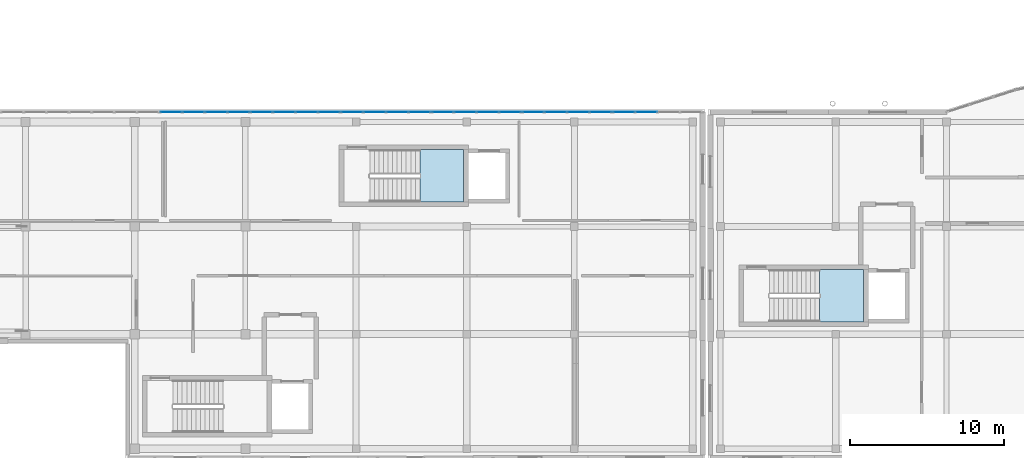
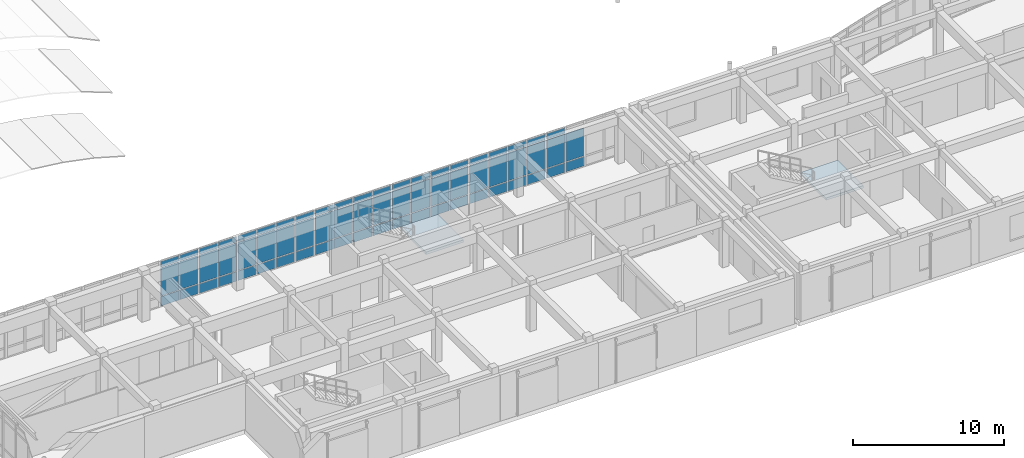
# One storey, part 63 of 91: 65 plates, 2 slabs, 8 elements without a shape of their own.
"""IFC4 building model written with IfcOpenShell, lengths in metres."""

from ifc_helpers import new_model, si_unit, direction, frame, origin, origin_2d, place, context, subcontext, project, spatial, polyline, rectangle, outline, extrude, material, layer, layer_set, type_object, element, aggregate, save


model = new_model("IFC4")

# Units and contexts
model_context = context("Model", 3, precision=1e-05, world=origin(), true_north=direction((0.0, 1.0)))
body_context = subcontext(model_context, "Body", "Model", "MODEL_VIEW")
ifc_project = project(units=[si_unit("LENGTHUNIT", "METRE"), si_unit("AREAUNIT", "SQUARE_METRE"), si_unit("VOLUMEUNIT", "CUBIC_METRE"), si_unit("PLANEANGLEUNIT", "RADIAN"), si_unit("MASSUNIT", "GRAM", prefix="KILO")], contexts=[model_context])

# Site, building, storey
site_placement = place(None, origin())
site = spatial("IfcSite", under=ifc_project, at=site_placement, CompositionType="ELEMENT")
building_placement = place(site_placement, origin())
building = spatial("IfcBuilding", under=site, at=building_placement, Name="Valcora Specialist Clinic", CompositionType="ELEMENT")
storey_placement = place(building_placement, frame((0.0, 0.0, 13.60009765625)))
storey = spatial("IfcBuildingStorey", under=building, at=storey_placement, Name="L03", CompositionType="ELEMENT", Elevation=13.60009765625)

# Curtain wall, plates
ifc_material_1 = material(Name="Anodized Bronze Aluminium 6063-T6", Category="aluminium")
ifc_layer_1 = layer(ifc_material_1, 0.175048828125)
ifc_layer_set_1 = layer_set([ifc_layer_1], Name="Anodized Bronze Aluminium 6063-T6")
curtain_wall_type = type_object("IfcCurtainWallType", Name="TY-CW-V5F15", PredefinedType="NOTDEFINED", material=ifc_layer_set_1)
curtain_wall_1_placement = place(storey_placement, origin())
curtain_wall_1 = element("IfcCurtainWall", 1, at=curtain_wall_1_placement, inside=storey, type_object=curtain_wall_type, Name="Curtain wall CW-L03-158", PredefinedType="NOTDEFINED")
ifc_material_2 = material(Name="Low-E Laminated Insulating Glass", Category="glass")
ifc_layer_2 = layer(ifc_material_2, 0.028076171875)
ifc_layer_set_2 = layer_set([ifc_layer_2], Name="Low-E Laminated Insulating Glass")
plate_type_1 = type_object("IfcPlateType", Name="TY-CWP-GLZ28", PredefinedType="CURTAIN_PANEL", material=ifc_layer_set_2)
plate_1_placement = place(storey_placement, frame((18.569091796875, 22.64990234375, 0.882568359375), z_axis=(0.0, 0.0, 1.0), x_axis=(1.0, 0.0, 0.0)))
plate_1 = element("IfcPlate", 2, at=plate_1_placement, type_object=plate_type_1, Name="CW-V5F-15 panel 1.2", PredefinedType="CURTAIN_PANEL", context=body_context, shape_type="SweptSolid", body=[
    extrude(rectangle(XDim=1.374755859375, YDim=0.028076171875, at=origin_2d()), origin(), (0.0, 0.0, 1.0), 2.2548828125),
])
plate_2_placement = place(storey_placement, frame((18.569091796875, 22.64990234375, 3.20263671875), z_axis=(0.0, 0.0, 1.0), x_axis=(1.0, 0.0, 0.0)))
plate_2 = element("IfcPlate", 3, at=plate_2_placement, type_object=plate_type_1, Name="CW-V5F-15 panel 1.3", PredefinedType="CURTAIN_PANEL", context=body_context, shape_type="SweptSolid", body=[
    extrude(rectangle(XDim=1.374755859375, YDim=0.028076171875, at=origin_2d()), origin(), (0.0, 0.0, 1.0), 0.452392578125),
])
plate_3_placement = place(storey_placement, frame((20.025146484375, 22.64990234375, 0.882568359375), z_axis=(0.0, 0.0, 1.0), x_axis=(1.0, 0.0, 0.0)))
plate_3 = element("IfcPlate", 4, at=plate_3_placement, type_object=plate_type_1, Name="CW-V5F-15 panel 2.2", PredefinedType="CURTAIN_PANEL", context=body_context, shape_type="SweptSolid", body=[
    extrude(rectangle(XDim=1.4072265625, YDim=0.028076171875, at=origin_2d()), origin(), (0.0, 0.0, 1.0), 2.2548828125),
])
plate_4_placement = place(storey_placement, frame((20.025146484375, 22.64990234375, 3.20263671875), z_axis=(0.0, 0.0, 1.0), x_axis=(1.0, 0.0, 0.0)))
plate_4 = element("IfcPlate", 5, at=plate_4_placement, type_object=plate_type_1, Name="CW-V5F-15 panel 2.3", PredefinedType="CURTAIN_PANEL", context=body_context, shape_type="SweptSolid", body=[
    extrude(rectangle(XDim=1.4072265625, YDim=0.028076171875, at=origin_2d()), origin(), (0.0, 0.0, 1.0), 0.452392578125),
])
plate_5_placement = place(storey_placement, frame((21.497314453125, 22.64990234375, 0.882568359375), z_axis=(0.0, 0.0, 1.0), x_axis=(1.0, 0.0, 0.0)))
plate_5 = element("IfcPlate", 6, at=plate_5_placement, type_object=plate_type_1, Name="CW-V5F-15 panel 3.2", PredefinedType="CURTAIN_PANEL", context=body_context, shape_type="SweptSolid", body=[
    extrude(rectangle(XDim=1.4072265625, YDim=0.028076171875, at=origin_2d()), origin(), (0.0, 0.0, 1.0), 2.2548828125),
])
plate_6_placement = place(storey_placement, frame((21.497314453125, 22.64990234375, 3.20263671875), z_axis=(0.0, 0.0, 1.0), x_axis=(1.0, 0.0, 0.0)))
plate_6 = element("IfcPlate", 7, at=plate_6_placement, type_object=plate_type_1, Name="CW-V5F-15 panel 3.3", PredefinedType="CURTAIN_PANEL", context=body_context, shape_type="SweptSolid", body=[
    extrude(rectangle(XDim=1.4072265625, YDim=0.028076171875, at=origin_2d()), origin(), (0.0, 0.0, 1.0), 0.452392578125),
])
plate_7_placement = place(storey_placement, frame((22.953125, 22.64990234375, 0.882568359375), z_axis=(0.0, 0.0, 1.0), x_axis=(1.0, 0.0, 0.0)))
plate_7 = element("IfcPlate", 8, at=plate_7_placement, type_object=plate_type_1, Name="CW-V5F-15 panel 4.2", PredefinedType="CURTAIN_PANEL", context=body_context, shape_type="SweptSolid", body=[
    extrude(rectangle(XDim=1.374755859375, YDim=0.028076171875, at=origin_2d()), origin(), (0.0, 0.0, 1.0), 2.2548828125),
])
plate_8_placement = place(storey_placement, frame((22.953125, 22.64990234375, 3.20263671875), z_axis=(0.0, 0.0, 1.0), x_axis=(1.0, 0.0, 0.0)))
plate_8 = element("IfcPlate", 9, at=plate_8_placement, type_object=plate_type_1, Name="CW-V5F-15 panel 4.3", PredefinedType="CURTAIN_PANEL", context=body_context, shape_type="SweptSolid", body=[
    extrude(rectangle(XDim=1.374755859375, YDim=0.028076171875, at=origin_2d()), origin(), (0.0, 0.0, 1.0), 0.452392578125),
])

curtain_wall_2_placement = place(storey_placement, origin())
curtain_wall_2 = element("IfcCurtainWall", 10, at=curtain_wall_2_placement, inside=storey, type_object=curtain_wall_type, Name="Curtain wall CW-L03-160", PredefinedType="NOTDEFINED")
plate_9_placement = place(storey_placement, frame((30.3466796875, 22.64990234375, 0.882568359375), z_axis=(0.0, 0.0, 1.0), x_axis=(1.0, 0.0, 0.0)))
plate_9 = element("IfcPlate", 11, at=plate_9_placement, type_object=plate_type_1, Name="CW-V5F-15 panel 1.2", PredefinedType="CURTAIN_PANEL", context=body_context, shape_type="SweptSolid", body=[
    extrude(rectangle(XDim=1.374755859375, YDim=0.028076171875, at=origin_2d()), origin(), (0.0, 0.0, 1.0), 2.2548828125),
])
plate_10_placement = place(storey_placement, frame((30.3466796875, 22.64990234375, 3.20263671875), z_axis=(0.0, 0.0, 1.0), x_axis=(1.0, 0.0, 0.0)))
plate_10 = element("IfcPlate", 12, at=plate_10_placement, type_object=plate_type_1, Name="CW-V5F-15 panel 1.3", PredefinedType="CURTAIN_PANEL", context=body_context, shape_type="SweptSolid", body=[
    extrude(rectangle(XDim=1.374755859375, YDim=0.028076171875, at=origin_2d()), origin(), (0.0, 0.0, 1.0), 0.452392578125),
])
plate_11_placement = place(storey_placement, frame((31.802734375, 22.64990234375, 0.882568359375), z_axis=(0.0, 0.0, 1.0), x_axis=(1.0, 0.0, 0.0)))
plate_11 = element("IfcPlate", 13, at=plate_11_placement, type_object=plate_type_1, Name="CW-V5F-15 panel 2.2", PredefinedType="CURTAIN_PANEL", context=body_context, shape_type="SweptSolid", body=[
    extrude(rectangle(XDim=1.4072265625, YDim=0.028076171875, at=origin_2d()), origin(), (0.0, 0.0, 1.0), 2.2548828125),
])
plate_12_placement = place(storey_placement, frame((31.802734375, 22.64990234375, 3.20263671875), z_axis=(0.0, 0.0, 1.0), x_axis=(1.0, 0.0, 0.0)))
plate_12 = element("IfcPlate", 14, at=plate_12_placement, type_object=plate_type_1, Name="CW-V5F-15 panel 2.3", PredefinedType="CURTAIN_PANEL", context=body_context, shape_type="SweptSolid", body=[
    extrude(rectangle(XDim=1.4072265625, YDim=0.028076171875, at=origin_2d()), origin(), (0.0, 0.0, 1.0), 0.452392578125),
])
plate_13_placement = place(storey_placement, frame((33.27490234375, 22.64990234375, 0.882568359375), z_axis=(0.0, 0.0, 1.0), x_axis=(1.0, 0.0, 0.0)))
plate_13 = element("IfcPlate", 15, at=plate_13_placement, type_object=plate_type_1, Name="CW-V5F-15 panel 3.2", PredefinedType="CURTAIN_PANEL", context=body_context, shape_type="SweptSolid", body=[
    extrude(rectangle(XDim=1.4072265625, YDim=0.028076171875, at=origin_2d()), origin(), (0.0, 0.0, 1.0), 2.2548828125),
])
plate_14_placement = place(storey_placement, frame((33.27490234375, 22.64990234375, 3.20263671875), z_axis=(0.0, 0.0, 1.0), x_axis=(1.0, 0.0, 0.0)))
plate_14 = element("IfcPlate", 16, at=plate_14_placement, type_object=plate_type_1, Name="CW-V5F-15 panel 3.3", PredefinedType="CURTAIN_PANEL", context=body_context, shape_type="SweptSolid", body=[
    extrude(rectangle(XDim=1.4072265625, YDim=0.028076171875, at=origin_2d()), origin(), (0.0, 0.0, 1.0), 0.452392578125),
])
plate_15_placement = place(storey_placement, frame((34.73095703125, 22.64990234375, 0.882568359375), z_axis=(0.0, 0.0, 1.0), x_axis=(1.0, 0.0, 0.0)))
plate_15 = element("IfcPlate", 17, at=plate_15_placement, type_object=plate_type_1, Name="CW-V5F-15 panel 4.2", PredefinedType="CURTAIN_PANEL", context=body_context, shape_type="SweptSolid", body=[
    extrude(rectangle(XDim=1.374755859375, YDim=0.028076171875, at=origin_2d()), origin(), (0.0, 0.0, 1.0), 2.2548828125),
])
plate_16_placement = place(storey_placement, frame((34.73095703125, 22.64990234375, 3.20263671875), z_axis=(0.0, 0.0, 1.0), x_axis=(1.0, 0.0, 0.0)))
plate_16 = element("IfcPlate", 18, at=plate_16_placement, type_object=plate_type_1, Name="CW-V5F-15 panel 4.3", PredefinedType="CURTAIN_PANEL", context=body_context, shape_type="SweptSolid", body=[
    extrude(rectangle(XDim=1.374755859375, YDim=0.028076171875, at=origin_2d()), origin(), (0.0, 0.0, 1.0), 0.452392578125),
])

curtain_wall_3_placement = place(storey_placement, origin())
curtain_wall_3 = element("IfcCurtainWall", 19, at=curtain_wall_3_placement, inside=storey, type_object=curtain_wall_type, Name="Curtain wall CW-L03-162", PredefinedType="NOTDEFINED")
plate_17_placement = place(storey_placement, frame((42.12451171875, 22.64990234375, 0.882568359375), z_axis=(0.0, 0.0, 1.0), x_axis=(1.0, 0.0, 0.0)))
plate_17 = element("IfcPlate", 20, at=plate_17_placement, type_object=plate_type_1, Name="CW-V5F-15 panel 1.2", PredefinedType="CURTAIN_PANEL", context=body_context, shape_type="SweptSolid", body=[
    extrude(rectangle(XDim=1.374755859375, YDim=0.028076171875, at=origin_2d()), origin(), (0.0, 0.0, 1.0), 2.2548828125),
])
plate_18_placement = place(storey_placement, frame((42.12451171875, 22.64990234375, 3.20263671875), z_axis=(0.0, 0.0, 1.0), x_axis=(1.0, 0.0, 0.0)))
plate_18 = element("IfcPlate", 21, at=plate_18_placement, type_object=plate_type_1, Name="CW-V5F-15 panel 1.3", PredefinedType="CURTAIN_PANEL", context=body_context, shape_type="SweptSolid", body=[
    extrude(rectangle(XDim=1.374755859375, YDim=0.028076171875, at=origin_2d()), origin(), (0.0, 0.0, 1.0), 0.452392578125),
])
plate_19_placement = place(storey_placement, frame((43.58056640625, 22.64990234375, 0.882568359375), z_axis=(0.0, 0.0, 1.0), x_axis=(1.0, 0.0, 0.0)))
plate_19 = element("IfcPlate", 22, at=plate_19_placement, type_object=plate_type_1, Name="CW-V5F-15 panel 2.2", PredefinedType="CURTAIN_PANEL", context=body_context, shape_type="SweptSolid", body=[
    extrude(rectangle(XDim=1.4072265625, YDim=0.028076171875, at=origin_2d()), origin(), (0.0, 0.0, 1.0), 2.2548828125),
])
plate_20_placement = place(storey_placement, frame((43.58056640625, 22.64990234375, 3.20263671875), z_axis=(0.0, 0.0, 1.0), x_axis=(1.0, 0.0, 0.0)))
plate_20 = element("IfcPlate", 23, at=plate_20_placement, type_object=plate_type_1, Name="CW-V5F-15 panel 2.3", PredefinedType="CURTAIN_PANEL", context=body_context, shape_type="SweptSolid", body=[
    extrude(rectangle(XDim=1.4072265625, YDim=0.028076171875, at=origin_2d()), origin(), (0.0, 0.0, 1.0), 0.452392578125),
])
plate_21_placement = place(storey_placement, frame((45.052734375, 22.64990234375, 0.882568359375), z_axis=(0.0, 0.0, 1.0), x_axis=(1.0, 0.0, 0.0)))
plate_21 = element("IfcPlate", 24, at=plate_21_placement, type_object=plate_type_1, Name="CW-V5F-15 panel 3.2", PredefinedType="CURTAIN_PANEL", context=body_context, shape_type="SweptSolid", body=[
    extrude(rectangle(XDim=1.4072265625, YDim=0.028076171875, at=origin_2d()), origin(), (0.0, 0.0, 1.0), 2.2548828125),
])
plate_22_placement = place(storey_placement, frame((45.052734375, 22.64990234375, 3.20263671875), z_axis=(0.0, 0.0, 1.0), x_axis=(1.0, 0.0, 0.0)))
plate_22 = element("IfcPlate", 25, at=plate_22_placement, type_object=plate_type_1, Name="CW-V5F-15 panel 3.3", PredefinedType="CURTAIN_PANEL", context=body_context, shape_type="SweptSolid", body=[
    extrude(rectangle(XDim=1.4072265625, YDim=0.028076171875, at=origin_2d()), origin(), (0.0, 0.0, 1.0), 0.452392578125),
])
plate_23_placement = place(storey_placement, frame((46.5087890625, 22.64990234375, 0.882568359375), z_axis=(0.0, 0.0, 1.0), x_axis=(1.0, 0.0, 0.0)))
plate_23 = element("IfcPlate", 26, at=plate_23_placement, type_object=plate_type_1, Name="CW-V5F-15 panel 4.2", PredefinedType="CURTAIN_PANEL", context=body_context, shape_type="SweptSolid", body=[
    extrude(rectangle(XDim=1.374755859375, YDim=0.028076171875, at=origin_2d()), origin(), (0.0, 0.0, 1.0), 2.2548828125),
])
plate_24_placement = place(storey_placement, frame((46.5087890625, 22.64990234375, 3.20263671875), z_axis=(0.0, 0.0, 1.0), x_axis=(1.0, 0.0, 0.0)))
plate_24 = element("IfcPlate", 27, at=plate_24_placement, type_object=plate_type_1, Name="CW-V5F-15 panel 4.3", PredefinedType="CURTAIN_PANEL", context=body_context, shape_type="SweptSolid", body=[
    extrude(rectangle(XDim=1.374755859375, YDim=0.028076171875, at=origin_2d()), origin(), (0.0, 0.0, 1.0), 0.452392578125),
])

curtain_wall_4_placement = place(storey_placement, origin())
curtain_wall_4 = element("IfcCurtainWall", 28, at=curtain_wall_4_placement, inside=storey, type_object=curtain_wall_type, Name="Curtain wall CW-L03-159", PredefinedType="NOTDEFINED")
ifc_layer_3 = layer(ifc_material_2, 0.033935546875)
ifc_layer_set_3 = layer_set([ifc_layer_3], Name="Low-E Laminated Insulating Glass")
plate_type_2 = type_object("IfcPlateType", Name="TY-CWP-GLZ34", PredefinedType="CURTAIN_PANEL", material=ifc_layer_set_3)
plate_25_placement = place(storey_placement, frame((24.4580078125, 22.64990234375, 0.882568359375), z_axis=(0.0, 0.0, 1.0), x_axis=(1.0, 0.0, 0.0)))
plate_25 = element("IfcPlate", 29, at=plate_25_placement, type_object=plate_type_2, Name="CW-V5F-15 panel 1.2", PredefinedType="CURTAIN_PANEL", context=body_context, shape_type="SweptSolid", body=[
    extrude(rectangle(XDim=1.374755859375, YDim=0.033935546875, at=origin_2d()), origin(), (0.0, 0.0, 1.0), 2.2548828125),
])
plate_26_placement = place(storey_placement, frame((24.4580078125, 22.64990234375, 3.20263671875), z_axis=(0.0, 0.0, 1.0), x_axis=(1.0, 0.0, 0.0)))
plate_26 = element("IfcPlate", 30, at=plate_26_placement, type_object=plate_type_2, Name="CW-V5F-15 panel 1.3", PredefinedType="CURTAIN_PANEL", context=body_context, shape_type="SweptSolid", body=[
    extrude(rectangle(XDim=1.374755859375, YDim=0.033935546875, at=origin_2d()), origin(), (0.0, 0.0, 1.0), 0.452392578125),
])
plate_27_placement = place(storey_placement, frame((25.913818359375, 22.64990234375, 0.882568359375), z_axis=(0.0, 0.0, 1.0), x_axis=(1.0, 0.0, 0.0)))
plate_27 = element("IfcPlate", 31, at=plate_27_placement, type_object=plate_type_2, Name="CW-V5F-15 panel 2.2", PredefinedType="CURTAIN_PANEL", context=body_context, shape_type="SweptSolid", body=[
    extrude(rectangle(XDim=1.4072265625, YDim=0.033935546875, at=origin_2d()), origin(), (0.0, 0.0, 1.0), 2.2548828125),
])
plate_28_placement = place(storey_placement, frame((25.913818359375, 22.64990234375, 3.20263671875), z_axis=(0.0, 0.0, 1.0), x_axis=(1.0, 0.0, 0.0)))
plate_28 = element("IfcPlate", 32, at=plate_28_placement, type_object=plate_type_2, Name="CW-V5F-15 panel 2.3", PredefinedType="CURTAIN_PANEL", context=body_context, shape_type="SweptSolid", body=[
    extrude(rectangle(XDim=1.4072265625, YDim=0.033935546875, at=origin_2d()), origin(), (0.0, 0.0, 1.0), 0.452392578125),
])
plate_29_placement = place(storey_placement, frame((27.385986328125, 22.64990234375, 0.882568359375), z_axis=(0.0, 0.0, 1.0), x_axis=(1.0, 0.0, 0.0)))
plate_29 = element("IfcPlate", 33, at=plate_29_placement, type_object=plate_type_2, Name="CW-V5F-15 panel 3.2", PredefinedType="CURTAIN_PANEL", context=body_context, shape_type="SweptSolid", body=[
    extrude(rectangle(XDim=1.4072265625, YDim=0.033935546875, at=origin_2d()), origin(), (0.0, 0.0, 1.0), 2.2548828125),
])
plate_30_placement = place(storey_placement, frame((27.385986328125, 22.64990234375, 3.20263671875), z_axis=(0.0, 0.0, 1.0), x_axis=(1.0, 0.0, 0.0)))
plate_30 = element("IfcPlate", 34, at=plate_30_placement, type_object=plate_type_2, Name="CW-V5F-15 panel 3.3", PredefinedType="CURTAIN_PANEL", context=body_context, shape_type="SweptSolid", body=[
    extrude(rectangle(XDim=1.4072265625, YDim=0.033935546875, at=origin_2d()), origin(), (0.0, 0.0, 1.0), 0.452392578125),
])
plate_31_placement = place(storey_placement, frame((28.842041015625, 22.64990234375, 0.882568359375), z_axis=(0.0, 0.0, 1.0), x_axis=(1.0, 0.0, 0.0)))
plate_31 = element("IfcPlate", 35, at=plate_31_placement, type_object=plate_type_2, Name="CW-V5F-15 panel 4.2", PredefinedType="CURTAIN_PANEL", context=body_context, shape_type="SweptSolid", body=[
    extrude(rectangle(XDim=1.374755859375, YDim=0.033935546875, at=origin_2d()), origin(), (0.0, 0.0, 1.0), 2.2548828125),
])
plate_32_placement = place(storey_placement, frame((28.842041015625, 22.64990234375, 3.20263671875), z_axis=(0.0, 0.0, 1.0), x_axis=(1.0, 0.0, 0.0)))
plate_32 = element("IfcPlate", 36, at=plate_32_placement, type_object=plate_type_2, Name="CW-V5F-15 panel 4.3", PredefinedType="CURTAIN_PANEL", context=body_context, shape_type="SweptSolid", body=[
    extrude(rectangle(XDim=1.374755859375, YDim=0.033935546875, at=origin_2d()), origin(), (0.0, 0.0, 1.0), 0.452392578125),
])

curtain_wall_5_placement = place(storey_placement, origin())
curtain_wall_5 = element("IfcCurtainWall", 37, at=curtain_wall_5_placement, inside=storey, type_object=curtain_wall_type, Name="Curtain wall CW-L03-161", PredefinedType="NOTDEFINED")
plate_33_placement = place(storey_placement, frame((36.235595703125, 22.64990234375, 0.882568359375), z_axis=(0.0, 0.0, 1.0), x_axis=(1.0, 0.0, 0.0)))
plate_33 = element("IfcPlate", 38, at=plate_33_placement, type_object=plate_type_2, Name="CW-V5F-15 panel 1.2", PredefinedType="CURTAIN_PANEL", context=body_context, shape_type="SweptSolid", body=[
    extrude(rectangle(XDim=1.374755859375, YDim=0.033935546875, at=origin_2d()), origin(), (0.0, 0.0, 1.0), 2.2548828125),
])
plate_34_placement = place(storey_placement, frame((36.235595703125, 22.64990234375, 3.20263671875), z_axis=(0.0, 0.0, 1.0), x_axis=(1.0, 0.0, 0.0)))
plate_34 = element("IfcPlate", 39, at=plate_34_placement, type_object=plate_type_2, Name="CW-V5F-15 panel 1.3", PredefinedType="CURTAIN_PANEL", context=body_context, shape_type="SweptSolid", body=[
    extrude(rectangle(XDim=1.374755859375, YDim=0.033935546875, at=origin_2d()), origin(), (0.0, 0.0, 1.0), 0.452392578125),
])
plate_35_placement = place(storey_placement, frame((37.691650390625, 22.64990234375, 0.882568359375), z_axis=(0.0, 0.0, 1.0), x_axis=(1.0, 0.0, 0.0)))
plate_35 = element("IfcPlate", 40, at=plate_35_placement, type_object=plate_type_2, Name="CW-V5F-15 panel 2.2", PredefinedType="CURTAIN_PANEL", context=body_context, shape_type="SweptSolid", body=[
    extrude(rectangle(XDim=1.4072265625, YDim=0.033935546875, at=origin_2d()), origin(), (0.0, 0.0, 1.0), 2.2548828125),
])
plate_36_placement = place(storey_placement, frame((37.691650390625, 22.64990234375, 3.20263671875), z_axis=(0.0, 0.0, 1.0), x_axis=(1.0, 0.0, 0.0)))
plate_36 = element("IfcPlate", 41, at=plate_36_placement, type_object=plate_type_2, Name="CW-V5F-15 panel 2.3", PredefinedType="CURTAIN_PANEL", context=body_context, shape_type="SweptSolid", body=[
    extrude(rectangle(XDim=1.4072265625, YDim=0.033935546875, at=origin_2d()), origin(), (0.0, 0.0, 1.0), 0.452392578125),
])
plate_37_placement = place(storey_placement, frame((39.163818359375, 22.64990234375, 0.882568359375), z_axis=(0.0, 0.0, 1.0), x_axis=(1.0, 0.0, 0.0)))
plate_37 = element("IfcPlate", 42, at=plate_37_placement, type_object=plate_type_2, Name="CW-V5F-15 panel 3.2", PredefinedType="CURTAIN_PANEL", context=body_context, shape_type="SweptSolid", body=[
    extrude(rectangle(XDim=1.4072265625, YDim=0.033935546875, at=origin_2d()), origin(), (0.0, 0.0, 1.0), 2.2548828125),
])
plate_38_placement = place(storey_placement, frame((39.163818359375, 22.64990234375, 3.20263671875), z_axis=(0.0, 0.0, 1.0), x_axis=(1.0, 0.0, 0.0)))
plate_38 = element("IfcPlate", 43, at=plate_38_placement, type_object=plate_type_2, Name="CW-V5F-15 panel 3.3", PredefinedType="CURTAIN_PANEL", context=body_context, shape_type="SweptSolid", body=[
    extrude(rectangle(XDim=1.4072265625, YDim=0.033935546875, at=origin_2d()), origin(), (0.0, 0.0, 1.0), 0.452392578125),
])
plate_39_placement = place(storey_placement, frame((40.619873046875, 22.64990234375, 0.882568359375), z_axis=(0.0, 0.0, 1.0), x_axis=(1.0, 0.0, 0.0)))
plate_39 = element("IfcPlate", 44, at=plate_39_placement, type_object=plate_type_2, Name="CW-V5F-15 panel 4.2", PredefinedType="CURTAIN_PANEL", context=body_context, shape_type="SweptSolid", body=[
    extrude(rectangle(XDim=1.374755859375, YDim=0.033935546875, at=origin_2d()), origin(), (0.0, 0.0, 1.0), 2.2548828125),
])
plate_40_placement = place(storey_placement, frame((40.619873046875, 22.64990234375, 3.20263671875), z_axis=(0.0, 0.0, 1.0), x_axis=(1.0, 0.0, 0.0)))
plate_40 = element("IfcPlate", 45, at=plate_40_placement, type_object=plate_type_2, Name="CW-V5F-15 panel 4.3", PredefinedType="CURTAIN_PANEL", context=body_context, shape_type="SweptSolid", body=[
    extrude(rectangle(XDim=1.374755859375, YDim=0.033935546875, at=origin_2d()), origin(), (0.0, 0.0, 1.0), 0.452392578125),
])

curtain_wall_6_placement = place(storey_placement, origin())
curtain_wall_6 = element("IfcCurtainWall", 46, at=curtain_wall_6_placement, inside=storey, type_object=curtain_wall_type, Name="Curtain wall CW-L03-163", PredefinedType="NOTDEFINED")
plate_41_placement = place(storey_placement, frame((48.013427734375, 22.64990234375, 0.882568359375), z_axis=(0.0, 0.0, 1.0), x_axis=(1.0, 0.0, 0.0)))
plate_41 = element("IfcPlate", 47, at=plate_41_placement, type_object=plate_type_2, Name="CW-V5F-15 panel 1.2", PredefinedType="CURTAIN_PANEL", context=body_context, shape_type="SweptSolid", body=[
    extrude(rectangle(XDim=1.374755859375, YDim=0.033935546875, at=origin_2d()), origin(), (0.0, 0.0, 1.0), 2.2548828125),
])
plate_42_placement = place(storey_placement, frame((48.013427734375, 22.64990234375, 3.20263671875), z_axis=(0.0, 0.0, 1.0), x_axis=(1.0, 0.0, 0.0)))
plate_42 = element("IfcPlate", 48, at=plate_42_placement, type_object=plate_type_2, Name="CW-V5F-15 panel 1.3", PredefinedType="CURTAIN_PANEL", context=body_context, shape_type="SweptSolid", body=[
    extrude(rectangle(XDim=1.374755859375, YDim=0.033935546875, at=origin_2d()), origin(), (0.0, 0.0, 1.0), 0.452392578125),
])
plate_43_placement = place(storey_placement, frame((49.469482421875, 22.64990234375, 0.882568359375), z_axis=(0.0, 0.0, 1.0), x_axis=(1.0, 0.0, 0.0)))
plate_43 = element("IfcPlate", 49, at=plate_43_placement, type_object=plate_type_2, Name="CW-V5F-15 panel 2.2", PredefinedType="CURTAIN_PANEL", context=body_context, shape_type="SweptSolid", body=[
    extrude(rectangle(XDim=1.4072265625, YDim=0.033935546875, at=origin_2d()), origin(), (0.0, 0.0, 1.0), 2.2548828125),
])

# Plate
ifc_material_3 = material(Name="Insulated Spandrel Panel")
ifc_layer_4 = layer(ifc_material_3, 0.044921875)
ifc_layer_set_4 = layer_set([ifc_layer_4], Name="Insulated Spandrel Panel")
plate_type_3 = type_object("IfcPlateType", Name="TY-CWP-SPN45", PredefinedType="SHEET", material=ifc_layer_set_4)
plate_44_placement = place(storey_placement, frame((18.569091796875, 22.64990234375, 0.06494140625), z_axis=(0.0, 0.0, 1.0), x_axis=(1.0, 0.0, 0.0)))
plate_44 = element("IfcPlate", 50, at=plate_44_placement, type_object=plate_type_3, Name="CW-V5F-15 panel 1.1", PredefinedType="SHEET", context=body_context, shape_type="SweptSolid", body=[
    extrude(rectangle(XDim=1.374755859375, YDim=0.044921875, at=origin_2d()), origin(), (0.0, 0.0, 1.0), 0.75244140625),
])

plate_45_placement = place(storey_placement, frame((20.025146484375, 22.64990234375, 0.06494140625), z_axis=(0.0, 0.0, 1.0), x_axis=(1.0, 0.0, 0.0)))
plate_45 = element("IfcPlate", 51, at=plate_45_placement, type_object=plate_type_3, Name="CW-V5F-15 panel 2.1", PredefinedType="SHEET", context=body_context, shape_type="SweptSolid", body=[
    extrude(rectangle(XDim=1.4072265625, YDim=0.044921875, at=origin_2d()), origin(), (0.0, 0.0, 1.0), 0.75244140625),
])

plate_46_placement = place(storey_placement, frame((21.497314453125, 22.64990234375, 0.06494140625), z_axis=(0.0, 0.0, 1.0), x_axis=(1.0, 0.0, 0.0)))
plate_46 = element("IfcPlate", 52, at=plate_46_placement, type_object=plate_type_3, Name="CW-V5F-15 panel 3.1", PredefinedType="SHEET", context=body_context, shape_type="SweptSolid", body=[
    extrude(rectangle(XDim=1.4072265625, YDim=0.044921875, at=origin_2d()), origin(), (0.0, 0.0, 1.0), 0.75244140625),
])

plate_47_placement = place(storey_placement, frame((22.953125, 22.64990234375, 0.06494140625), z_axis=(0.0, 0.0, 1.0), x_axis=(1.0, 0.0, 0.0)))
plate_47 = element("IfcPlate", 53, at=plate_47_placement, type_object=plate_type_3, Name="CW-V5F-15 panel 4.1", PredefinedType="SHEET", context=body_context, shape_type="SweptSolid", body=[
    extrude(rectangle(XDim=1.374755859375, YDim=0.044921875, at=origin_2d()), origin(), (0.0, 0.0, 1.0), 0.75244140625),
])

aggregate(curtain_wall_1, [plate_44, plate_1, plate_2, plate_45, plate_3, plate_4, plate_46, plate_5, plate_6, plate_47, plate_7, plate_8])

plate_48_placement = place(storey_placement, frame((24.4580078125, 22.64990234375, 0.06494140625), z_axis=(0.0, 0.0, 1.0), x_axis=(1.0, 0.0, 0.0)))
plate_48 = element("IfcPlate", 54, at=plate_48_placement, type_object=plate_type_3, Name="CW-V5F-15 panel 1.1", PredefinedType="SHEET", context=body_context, shape_type="SweptSolid", body=[
    extrude(rectangle(XDim=1.374755859375, YDim=0.044921875, at=origin_2d()), origin(), (0.0, 0.0, 1.0), 0.75244140625),
])

plate_49_placement = place(storey_placement, frame((25.913818359375, 22.64990234375, 0.06494140625), z_axis=(0.0, 0.0, 1.0), x_axis=(1.0, 0.0, 0.0)))
plate_49 = element("IfcPlate", 55, at=plate_49_placement, type_object=plate_type_3, Name="CW-V5F-15 panel 2.1", PredefinedType="SHEET", context=body_context, shape_type="SweptSolid", body=[
    extrude(rectangle(XDim=1.4072265625, YDim=0.044921875, at=origin_2d()), origin(), (0.0, 0.0, 1.0), 0.75244140625),
])

plate_50_placement = place(storey_placement, frame((27.385986328125, 22.64990234375, 0.06494140625), z_axis=(0.0, 0.0, 1.0), x_axis=(1.0, 0.0, 0.0)))
plate_50 = element("IfcPlate", 56, at=plate_50_placement, type_object=plate_type_3, Name="CW-V5F-15 panel 3.1", PredefinedType="SHEET", context=body_context, shape_type="SweptSolid", body=[
    extrude(rectangle(XDim=1.4072265625, YDim=0.044921875, at=origin_2d()), origin(), (0.0, 0.0, 1.0), 0.75244140625),
])

plate_51_placement = place(storey_placement, frame((28.842041015625, 22.64990234375, 0.06494140625), z_axis=(0.0, 0.0, 1.0), x_axis=(1.0, 0.0, 0.0)))
plate_51 = element("IfcPlate", 57, at=plate_51_placement, type_object=plate_type_3, Name="CW-V5F-15 panel 4.1", PredefinedType="SHEET", context=body_context, shape_type="SweptSolid", body=[
    extrude(rectangle(XDim=1.374755859375, YDim=0.044921875, at=origin_2d()), origin(), (0.0, 0.0, 1.0), 0.75244140625),
])

aggregate(curtain_wall_4, [plate_48, plate_25, plate_26, plate_49, plate_27, plate_28, plate_50, plate_29, plate_30, plate_51, plate_31, plate_32])

plate_52_placement = place(storey_placement, frame((30.3466796875, 22.64990234375, 0.06494140625), z_axis=(0.0, 0.0, 1.0), x_axis=(1.0, 0.0, 0.0)))
plate_52 = element("IfcPlate", 58, at=plate_52_placement, type_object=plate_type_3, Name="CW-V5F-15 panel 1.1", PredefinedType="SHEET", context=body_context, shape_type="SweptSolid", body=[
    extrude(rectangle(XDim=1.374755859375, YDim=0.044921875, at=origin_2d()), origin(), (0.0, 0.0, 1.0), 0.75244140625),
])

plate_53_placement = place(storey_placement, frame((31.802734375, 22.64990234375, 0.06494140625), z_axis=(0.0, 0.0, 1.0), x_axis=(1.0, 0.0, 0.0)))
plate_53 = element("IfcPlate", 59, at=plate_53_placement, type_object=plate_type_3, Name="CW-V5F-15 panel 2.1", PredefinedType="SHEET", context=body_context, shape_type="SweptSolid", body=[
    extrude(rectangle(XDim=1.4072265625, YDim=0.044921875, at=origin_2d()), origin(), (0.0, 0.0, 1.0), 0.75244140625),
])

plate_54_placement = place(storey_placement, frame((33.27490234375, 22.64990234375, 0.06494140625), z_axis=(0.0, 0.0, 1.0), x_axis=(1.0, 0.0, 0.0)))
plate_54 = element("IfcPlate", 60, at=plate_54_placement, type_object=plate_type_3, Name="CW-V5F-15 panel 3.1", PredefinedType="SHEET", context=body_context, shape_type="SweptSolid", body=[
    extrude(rectangle(XDim=1.4072265625, YDim=0.044921875, at=origin_2d()), origin(), (0.0, 0.0, 1.0), 0.75244140625),
])

plate_55_placement = place(storey_placement, frame((34.73095703125, 22.64990234375, 0.06494140625), z_axis=(0.0, 0.0, 1.0), x_axis=(1.0, 0.0, 0.0)))
plate_55 = element("IfcPlate", 61, at=plate_55_placement, type_object=plate_type_3, Name="CW-V5F-15 panel 4.1", PredefinedType="SHEET", context=body_context, shape_type="SweptSolid", body=[
    extrude(rectangle(XDim=1.374755859375, YDim=0.044921875, at=origin_2d()), origin(), (0.0, 0.0, 1.0), 0.75244140625),
])

aggregate(curtain_wall_2, [plate_52, plate_9, plate_10, plate_53, plate_11, plate_12, plate_54, plate_13, plate_14, plate_55, plate_15, plate_16])

plate_56_placement = place(storey_placement, frame((36.235595703125, 22.64990234375, 0.06494140625), z_axis=(0.0, 0.0, 1.0), x_axis=(1.0, 0.0, 0.0)))
plate_56 = element("IfcPlate", 62, at=plate_56_placement, type_object=plate_type_3, Name="CW-V5F-15 panel 1.1", PredefinedType="SHEET", context=body_context, shape_type="SweptSolid", body=[
    extrude(rectangle(XDim=1.374755859375, YDim=0.044921875, at=origin_2d()), origin(), (0.0, 0.0, 1.0), 0.75244140625),
])

plate_57_placement = place(storey_placement, frame((37.691650390625, 22.64990234375, 0.06494140625), z_axis=(0.0, 0.0, 1.0), x_axis=(1.0, 0.0, 0.0)))
plate_57 = element("IfcPlate", 63, at=plate_57_placement, type_object=plate_type_3, Name="CW-V5F-15 panel 2.1", PredefinedType="SHEET", context=body_context, shape_type="SweptSolid", body=[
    extrude(rectangle(XDim=1.4072265625, YDim=0.044921875, at=origin_2d()), origin(), (0.0, 0.0, 1.0), 0.75244140625),
])

plate_58_placement = place(storey_placement, frame((39.163818359375, 22.64990234375, 0.06494140625), z_axis=(0.0, 0.0, 1.0), x_axis=(1.0, 0.0, 0.0)))
plate_58 = element("IfcPlate", 64, at=plate_58_placement, type_object=plate_type_3, Name="CW-V5F-15 panel 3.1", PredefinedType="SHEET", context=body_context, shape_type="SweptSolid", body=[
    extrude(rectangle(XDim=1.4072265625, YDim=0.044921875, at=origin_2d()), origin(), (0.0, 0.0, 1.0), 0.75244140625),
])

plate_59_placement = place(storey_placement, frame((40.619873046875, 22.64990234375, 0.06494140625), z_axis=(0.0, 0.0, 1.0), x_axis=(1.0, 0.0, 0.0)))
plate_59 = element("IfcPlate", 65, at=plate_59_placement, type_object=plate_type_3, Name="CW-V5F-15 panel 4.1", PredefinedType="SHEET", context=body_context, shape_type="SweptSolid", body=[
    extrude(rectangle(XDim=1.374755859375, YDim=0.044921875, at=origin_2d()), origin(), (0.0, 0.0, 1.0), 0.75244140625),
])

aggregate(curtain_wall_5, [plate_56, plate_33, plate_34, plate_57, plate_35, plate_36, plate_58, plate_37, plate_38, plate_59, plate_39, plate_40])

plate_60_placement = place(storey_placement, frame((42.12451171875, 22.64990234375, 0.06494140625), z_axis=(0.0, 0.0, 1.0), x_axis=(1.0, 0.0, 0.0)))
plate_60 = element("IfcPlate", 66, at=plate_60_placement, type_object=plate_type_3, Name="CW-V5F-15 panel 1.1", PredefinedType="SHEET", context=body_context, shape_type="SweptSolid", body=[
    extrude(rectangle(XDim=1.374755859375, YDim=0.044921875, at=origin_2d()), origin(), (0.0, 0.0, 1.0), 0.75244140625),
])

plate_61_placement = place(storey_placement, frame((43.58056640625, 22.64990234375, 0.06494140625), z_axis=(0.0, 0.0, 1.0), x_axis=(1.0, 0.0, 0.0)))
plate_61 = element("IfcPlate", 67, at=plate_61_placement, type_object=plate_type_3, Name="CW-V5F-15 panel 2.1", PredefinedType="SHEET", context=body_context, shape_type="SweptSolid", body=[
    extrude(rectangle(XDim=1.4072265625, YDim=0.044921875, at=origin_2d()), origin(), (0.0, 0.0, 1.0), 0.75244140625),
])

plate_62_placement = place(storey_placement, frame((45.052734375, 22.64990234375, 0.06494140625), z_axis=(0.0, 0.0, 1.0), x_axis=(1.0, 0.0, 0.0)))
plate_62 = element("IfcPlate", 68, at=plate_62_placement, type_object=plate_type_3, Name="CW-V5F-15 panel 3.1", PredefinedType="SHEET", context=body_context, shape_type="SweptSolid", body=[
    extrude(rectangle(XDim=1.4072265625, YDim=0.044921875, at=origin_2d()), origin(), (0.0, 0.0, 1.0), 0.75244140625),
])

plate_63_placement = place(storey_placement, frame((46.5087890625, 22.64990234375, 0.06494140625), z_axis=(0.0, 0.0, 1.0), x_axis=(1.0, 0.0, 0.0)))
plate_63 = element("IfcPlate", 69, at=plate_63_placement, type_object=plate_type_3, Name="CW-V5F-15 panel 4.1", PredefinedType="SHEET", context=body_context, shape_type="SweptSolid", body=[
    extrude(rectangle(XDim=1.374755859375, YDim=0.044921875, at=origin_2d()), origin(), (0.0, 0.0, 1.0), 0.75244140625),
])

aggregate(curtain_wall_3, [plate_60, plate_17, plate_18, plate_61, plate_19, plate_20, plate_62, plate_21, plate_22, plate_63, plate_23, plate_24])

plate_64_placement = place(storey_placement, frame((48.013427734375, 22.64990234375, 0.06494140625), z_axis=(0.0, 0.0, 1.0), x_axis=(1.0, 0.0, 0.0)))
plate_64 = element("IfcPlate", 70, at=plate_64_placement, type_object=plate_type_3, Name="CW-V5F-15 panel 1.1", PredefinedType="SHEET", context=body_context, shape_type="SweptSolid", body=[
    extrude(rectangle(XDim=1.374755859375, YDim=0.044921875, at=origin_2d()), origin(), (0.0, 0.0, 1.0), 0.75244140625),
])

plate_65_placement = place(storey_placement, frame((49.469482421875, 22.64990234375, 0.06494140625), z_axis=(0.0, 0.0, 1.0), x_axis=(1.0, 0.0, 0.0)))
plate_65 = element("IfcPlate", 71, at=plate_65_placement, type_object=plate_type_3, Name="CW-V5F-15 panel 2.1", PredefinedType="SHEET", context=body_context, shape_type="SweptSolid", body=[
    extrude(rectangle(XDim=1.4072265625, YDim=0.044921875, at=origin_2d()), origin(), (0.0, 0.0, 1.0), 0.75244140625),
])

aggregate(curtain_wall_6, [plate_64, plate_41, plate_42, plate_65, plate_43])

# Stair, slab
ifc_material_4 = material(Name="Concrete C40/50", Category="concrete")
stair_type = type_object("IfcStairType", Name="TY-ST-DG408", PredefinedType="HALF_TURN_STAIR", material=ifc_material_4)
stair_1_placement = place(storey_placement, origin())
stair_1 = element("IfcStair", 72, at=stair_1_placement, inside=storey, type_object=stair_type, Name="L03 Core C-V5B stair ST-V5B", PredefinedType="HALF_TURN_STAIR")
ifc_layer_5 = layer(ifc_material_4, 0.199951171875)
ifc_layer_set_5 = layer_set([ifc_layer_5], Name="Concrete C40/50")
slab_type = type_object("IfcSlabType", Name="TY-SL-LND200", PredefinedType="LANDING", material=ifc_layer_set_5)
slab_1_placement = place(storey_placement, frame((0.0, 0.0, 1.83984375)))
slab_1 = element("IfcSlab", 73, at=slab_1_placement, type_object=slab_type, Name="ST-V5B landing 1", PredefinedType="LANDING", context=body_context, shape_type="SweptSolid", body=[
    extrude(outline(polyline([(34.7451171875, 16.800048828125), (37.60009765625, 16.800048828125), (37.60009765625, 20.199951171875), (34.7451171875, 20.199951171875), (34.7451171875, 16.800048828125)])), origin(), (0.0, 0.0, 1.0), 0.199951171875),
])
aggregate(stair_1, [slab_1])

stair_2_placement = place(storey_placement, origin())
stair_2 = element("IfcStair", 74, at=stair_2_placement, inside=storey, type_object=stair_type, Name="L03 Core C-V6A stair ST-V6A", PredefinedType="HALF_TURN_STAIR")
slab_2_placement = place(storey_placement, frame((0.0, 0.0, 1.83984375)))
slab_2 = element("IfcSlab", 75, at=slab_2_placement, type_object=slab_type, Name="ST-V6A landing 1", PredefinedType="LANDING", context=body_context, shape_type="SweptSolid", body=[
    extrude(outline(polyline([(60.7451171875, 9.0), (63.60009765625, 9.0), (63.60009765625, 12.39990234375), (60.7451171875, 12.39990234375), (60.7451171875, 9.0)])), origin(), (0.0, 0.0, 1.0), 0.199951171875),
])
aggregate(stair_2, [slab_2])

save(model, "model.ifc")
